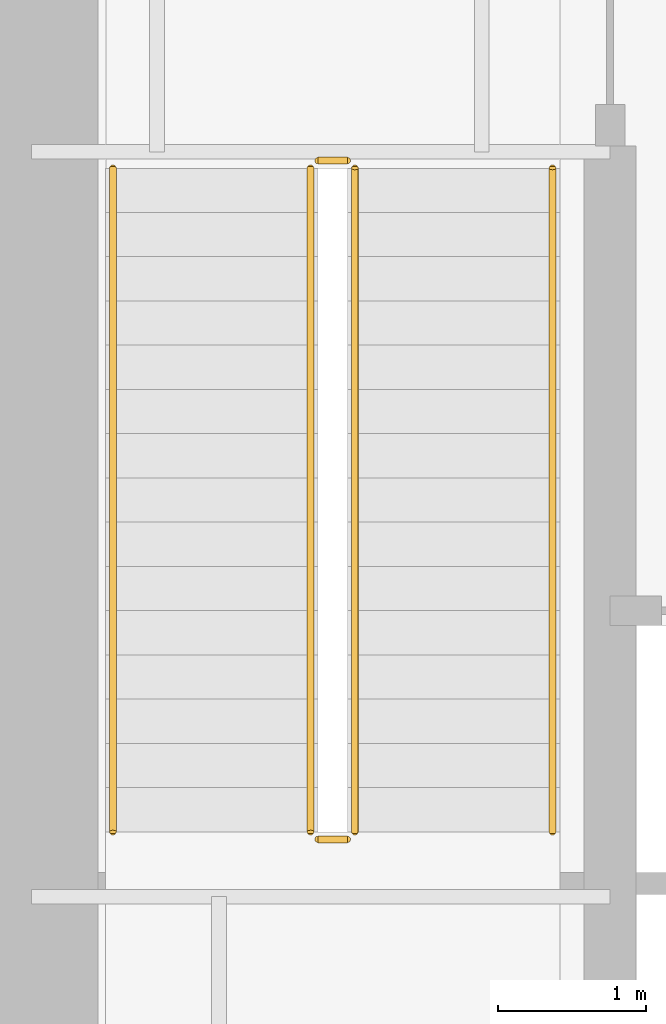
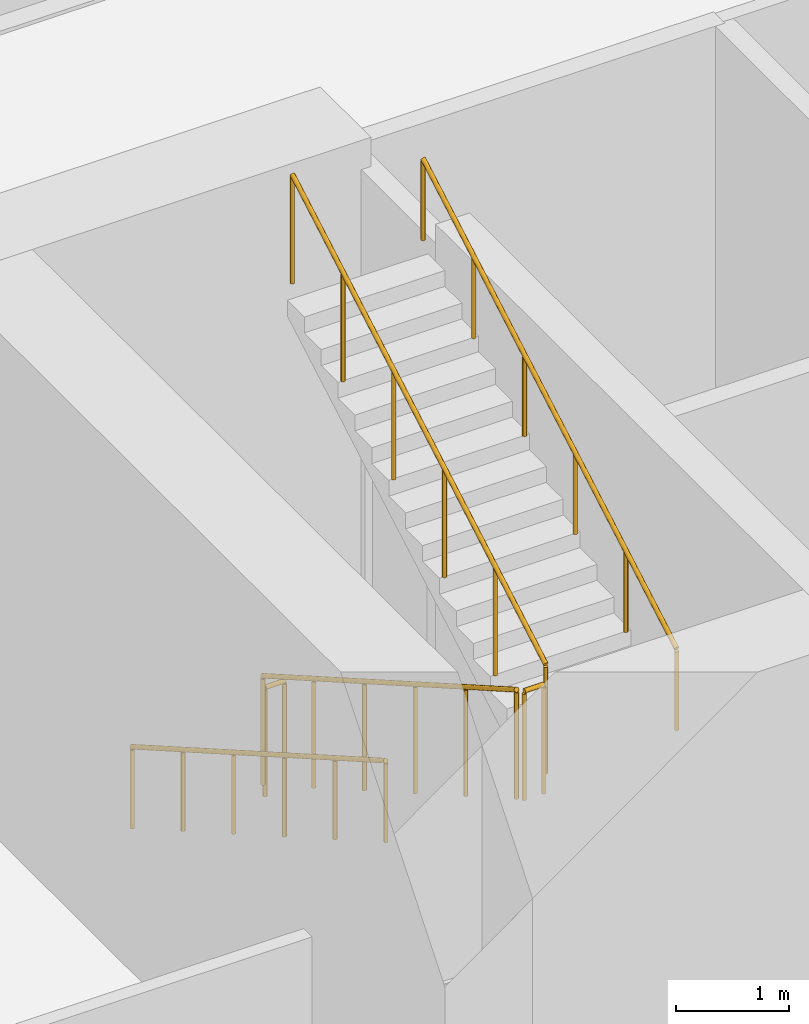
# One storey, part 30 of 35: 6 railings.
"""IFC4 building model written with IfcOpenShell, lengths in metres."""

from ifc_helpers import new_model, si_unit, direction, frame, origin, origin_2d, place, context, subcontext, project, spatial, circle, extrude, material, type_object, element, save


model = new_model("IFC4")

# Units and contexts
model_context = context("Model", 3, precision=1e-05, world=origin(), true_north=direction((0.0, 1.0)))
body_context = subcontext(model_context, "Body", "Model", "MODEL_VIEW")
ifc_project = project(units=[si_unit("LENGTHUNIT", "METRE"), si_unit("AREAUNIT", "SQUARE_METRE"), si_unit("VOLUMEUNIT", "CUBIC_METRE"), si_unit("PLANEANGLEUNIT", "RADIAN"), si_unit("MASSUNIT", "GRAM", prefix="KILO")], contexts=[model_context])

# Site, building, storey
site_placement = place(None, origin())
site = spatial("IfcSite", under=ifc_project, at=site_placement, CompositionType="ELEMENT")
building_placement = place(site_placement, origin())
building = spatial("IfcBuilding", under=site, at=building_placement, Name="Qiaolan Cultural Towers", CompositionType="ELEMENT")
storey_placement = place(building_placement, frame((0.0, 0.0, 6.0)))
storey = spatial("IfcBuildingStorey", under=building, at=storey_placement, Name="L01", CompositionType="ELEMENT", Elevation=6.0)

# Railings
ifc_material_1 = material(Name="Galvanized Painted Steel Stair Guardrail", Category="steel")
railing_type_1 = type_object("IfcRailingType", Name="RL-STAIR-GRD", PredefinedType="GUARDRAIL", material=ifc_material_1)
railing_1_placement = place(storey_placement, frame((23.68994140625, 19.550048828125, 0.171875)))
element("IfcRailing", 1, at=railing_1_placement, inside=storey, type_object=railing_type_1, Name="L01 ST-W1 stair guard 1", PredefinedType="GUARDRAIL", context=body_context, shape_type="SweptSolid", body=[
    extrude(circle(Radius=0.02392578125, at=origin_2d()), frame((0.0, 0.0, 1.17578125), z_axis=(0.0, -0.867686387293, 0.49711199272), x_axis=(1.0, 0.0, 0.0)), (0.0, 0.0, 1.0), 5.186279296875),
    extrude(circle(Radius=0.02099609375, at=origin_2d()), origin(), (0.0, 0.0, 1.0), 1.15185546875),
    extrude(circle(Radius=0.02099609375, at=origin_2d()), frame((0.0, -0.89990234375, 0.515625)), (0.0, 0.0, 1.0), 1.15185546875),
    extrude(circle(Radius=0.02099609375, at=origin_2d()), frame((0.0, -1.800048828125, 1.03125)), (0.0, 0.0, 1.0), 1.15185546875),
    extrude(circle(Radius=0.02099609375, at=origin_2d()), frame((0.0, -2.699951171875, 1.546875)), (0.0, 0.0, 1.0), 1.15185546875),
    extrude(circle(Radius=0.02099609375, at=origin_2d()), frame((0.0, -3.60009765625, 2.0625)), (0.0, 0.0, 1.0), 1.15185546875),
    extrude(circle(Radius=0.02099609375, at=origin_2d()), frame((0.0, -4.5, 2.578125)), (0.0, 0.0, 1.0), 1.15185546875),
])
railing_2_placement = place(storey_placement, frame((23.739990234375, 15.0, 2.75)))
element("IfcRailing", 2, at=railing_2_placement, inside=storey, type_object=railing_type_1, Name="L01 ST-W1 stair guard 2", PredefinedType="GUARDRAIL", context=body_context, shape_type="SweptSolid", body=[
    extrude(circle(Radius=0.02392578125, at=origin_2d()), frame((0.0, 0.0, 1.17578125), z_axis=(1.0, 0.0, 0.0), x_axis=(0.0, 1.0, 0.0)), (0.0, 0.0, 1.0), 0.199951171875),
    extrude(circle(Radius=0.02099609375, at=origin_2d()), origin(), (0.0, 0.0, 1.0), 1.15185546875),
    extrude(circle(Radius=0.02099609375, at=origin_2d()), frame((0.199951171875, 0.0, 0.0)), (0.0, 0.0, 1.0), 1.15185546875),
])
railing_3_placement = place(storey_placement, frame((23.989990234375, 15.050048828125, 2.921875)))
element("IfcRailing", 3, at=railing_3_placement, inside=storey, type_object=railing_type_1, Name="L01 ST-W1 stair guard 3", PredefinedType="GUARDRAIL", context=body_context, shape_type="SweptSolid", body=[
    extrude(circle(Radius=0.02392578125, at=origin_2d()), frame((0.0, 0.0, 1.17578125), z_axis=(0.0, 0.867686387293, 0.49711199272), x_axis=(-1.0, 0.0, 0.0)), (0.0, 0.0, 1.0), 5.186279296875),
    extrude(circle(Radius=0.02099609375, at=origin_2d()), origin(), (0.0, 0.0, 1.0), 1.15185546875),
    extrude(circle(Radius=0.02099609375, at=origin_2d()), frame((0.0, 0.89990234375, 0.515625)), (0.0, 0.0, 1.0), 1.15185546875),
    extrude(circle(Radius=0.02099609375, at=origin_2d()), frame((0.0, 1.800048828125, 1.03125)), (0.0, 0.0, 1.0), 1.15185546875),
    extrude(circle(Radius=0.02099609375, at=origin_2d()), frame((0.0, 2.699951171875, 1.546875)), (0.0, 0.0, 1.0), 1.15185546875),
    extrude(circle(Radius=0.02099609375, at=origin_2d()), frame((0.0, 3.60009765625, 2.0625)), (0.0, 0.0, 1.0), 1.15185546875),
    extrude(circle(Radius=0.02099609375, at=origin_2d()), frame((0.0, 4.5, 2.578125)), (0.0, 0.0, 1.0), 1.15185546875),
])
railing_4_placement = place(storey_placement, frame((23.739990234375, 19.60009765625, 0.0)))
element("IfcRailing", 4, at=railing_4_placement, inside=storey, type_object=railing_type_1, Name="L01 ST-W1 stair guard 4", PredefinedType="GUARDRAIL", context=body_context, shape_type="SweptSolid", body=[
    extrude(circle(Radius=0.02392578125, at=origin_2d()), frame((0.0, 0.0, 1.17578125), z_axis=(1.0, 0.0, 0.0), x_axis=(0.0, 1.0, 0.0)), (0.0, 0.0, 1.0), 0.199951171875),
    extrude(circle(Radius=0.02099609375, at=origin_2d()), origin(), (0.0, 0.0, 1.0), 1.15185546875),
    extrude(circle(Radius=0.02099609375, at=origin_2d()), frame((0.199951171875, 0.0, 0.0)), (0.0, 0.0, 1.0), 1.15185546875),
])
ifc_material_2 = material(Name="Stainless Steel S30408 Tubular Handrail", Category="steel")
railing_type_2 = type_object("IfcRailingType", Name="RL-STAIR-HR", PredefinedType="HANDRAIL", material=ifc_material_2)
railing_5_placement = place(storey_placement, frame((22.35009765625, 19.550048828125, 0.171875)))
element("IfcRailing", 5, at=railing_5_placement, inside=storey, type_object=railing_type_2, Name="L01 ST-W1 stair handrail 1", PredefinedType="HANDRAIL", context=body_context, shape_type="SweptSolid", body=[
    extrude(circle(Radius=0.02392578125, at=origin_2d()), frame((0.0, 0.0, 0.8759765625), z_axis=(0.0, -0.867686387293, 0.49711199272), x_axis=(1.0, 0.0, 0.0)), (0.0, 0.0, 1.0), 5.186279296875),
    extrude(circle(Radius=0.02099609375, at=origin_2d()), origin(), (0.0, 0.0, 1.0), 0.851806640625),
    extrude(circle(Radius=0.02099609375, at=origin_2d()), frame((0.0, -0.89990234375, 0.515625)), (0.0, 0.0, 1.0), 0.851806640625),
    extrude(circle(Radius=0.02099609375, at=origin_2d()), frame((0.0, -1.800048828125, 1.03125)), (0.0, 0.0, 1.0), 0.851806640625),
    extrude(circle(Radius=0.02099609375, at=origin_2d()), frame((0.0, -2.699951171875, 1.546875)), (0.0, 0.0, 1.0), 0.851806640625),
    extrude(circle(Radius=0.02099609375, at=origin_2d()), frame((0.0, -3.60009765625, 2.0625)), (0.0, 0.0, 1.0), 0.851806640625),
    extrude(circle(Radius=0.02099609375, at=origin_2d()), frame((0.0, -4.5, 2.578125)), (0.0, 0.0, 1.0), 0.851806640625),
])
railing_6_placement = place(storey_placement, frame((25.330078125, 15.050048828125, 2.921875)))
element("IfcRailing", 6, at=railing_6_placement, inside=storey, type_object=railing_type_2, Name="L01 ST-W1 stair handrail 2", PredefinedType="HANDRAIL", context=body_context, shape_type="SweptSolid", body=[
    extrude(circle(Radius=0.02392578125, at=origin_2d()), frame((0.0, 0.0, 0.8759765625), z_axis=(0.0, 0.867686387293, 0.49711199272), x_axis=(-1.0, 0.0, 0.0)), (0.0, 0.0, 1.0), 5.186279296875),
    extrude(circle(Radius=0.02099609375, at=origin_2d()), origin(), (0.0, 0.0, 1.0), 0.851806640625),
    extrude(circle(Radius=0.02099609375, at=origin_2d()), frame((0.0, 0.89990234375, 0.515625)), (0.0, 0.0, 1.0), 0.851806640625),
    extrude(circle(Radius=0.02099609375, at=origin_2d()), frame((0.0, 1.800048828125, 1.03125)), (0.0, 0.0, 1.0), 0.851806640625),
    extrude(circle(Radius=0.02099609375, at=origin_2d()), frame((0.0, 2.699951171875, 1.546875)), (0.0, 0.0, 1.0), 0.851806640625),
    extrude(circle(Radius=0.02099609375, at=origin_2d()), frame((0.0, 3.60009765625, 2.0625)), (0.0, 0.0, 1.0), 0.851806640625),
    extrude(circle(Radius=0.02099609375, at=origin_2d()), frame((0.0, 4.5, 2.578125)), (0.0, 0.0, 1.0), 0.851806640625),
])

save(model, "model.ifc")
